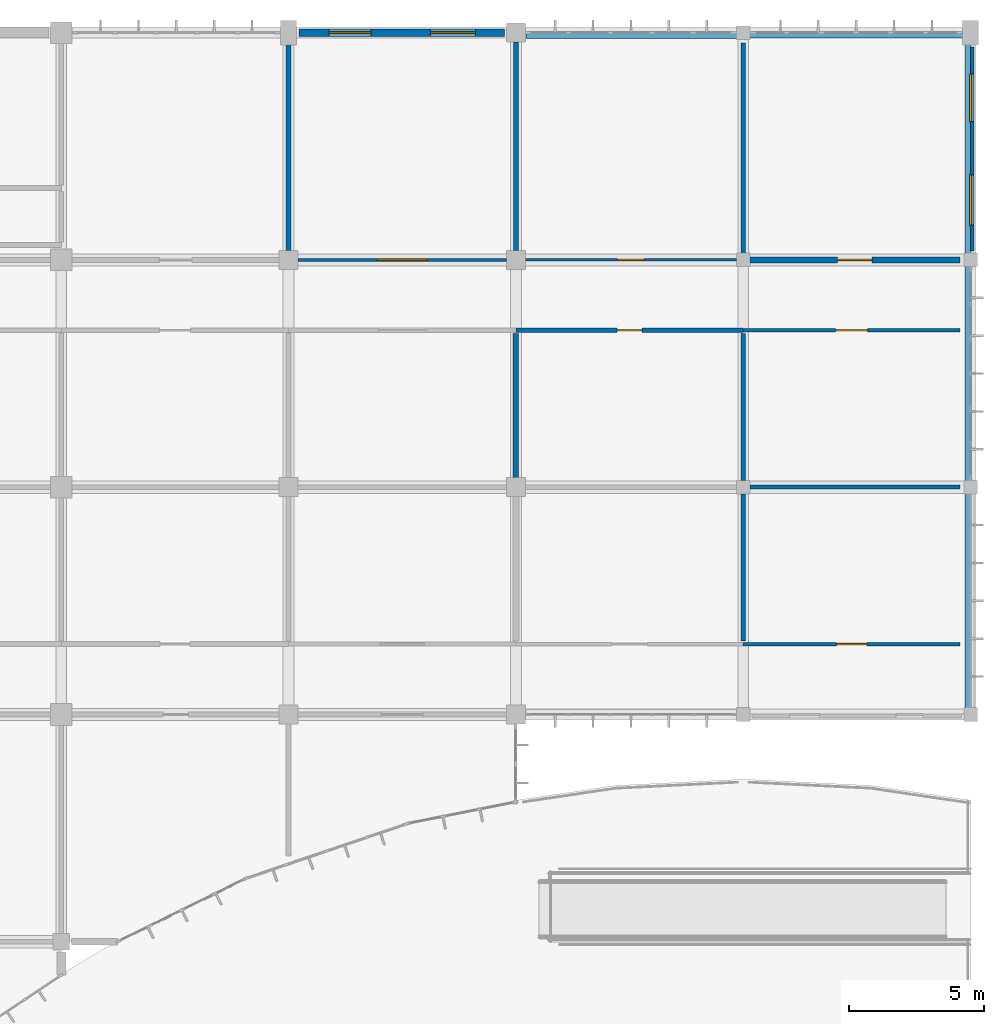
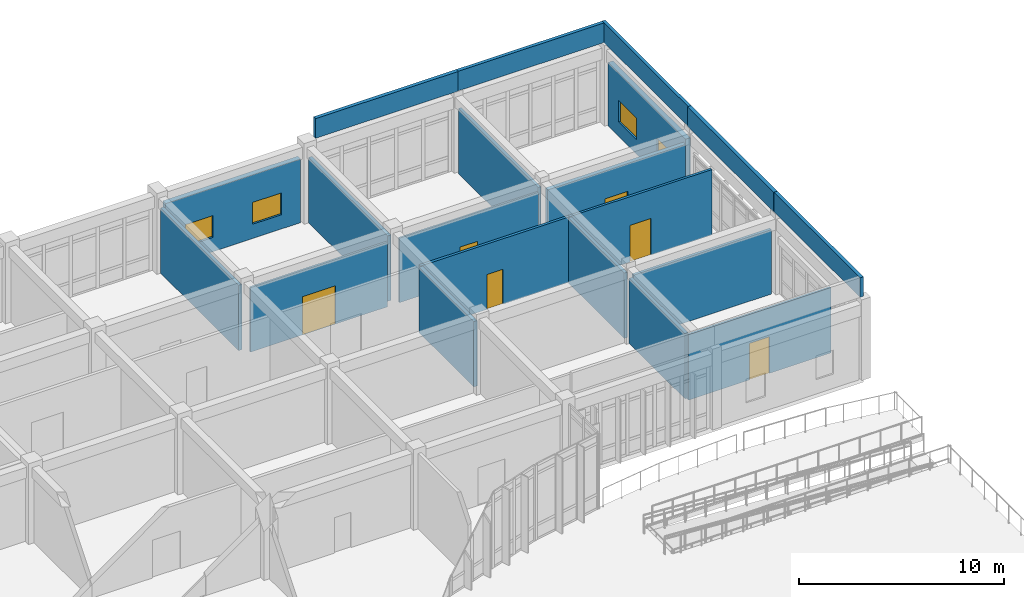
# One storey, part 112 of 138: 20 walls, 6 doors, 4 windows, 10 openings.
"""IFC4 building model written with IfcOpenShell, lengths in metres."""

from ifc_helpers import new_model, si_unit, direction, frame, frame_2d, origin, place, context, subcontext, project, spatial, rectangle, extrude, material, layer, layer_set, type_object, element, fill, save


model = new_model("IFC4")

# Units and contexts
model_context = context("Model", 3, precision=1e-05, world=origin(), true_north=direction((0.0, 1.0)))
body_context = subcontext(model_context, "Body", "Model", "MODEL_VIEW")
ifc_project = project(units=[si_unit("LENGTHUNIT", "METRE"), si_unit("AREAUNIT", "SQUARE_METRE"), si_unit("VOLUMEUNIT", "CUBIC_METRE"), si_unit("PLANEANGLEUNIT", "RADIAN"), si_unit("MASSUNIT", "GRAM", prefix="KILO")], contexts=[model_context])

# Site, building, storey
site_placement = place(None, origin())
site = spatial("IfcSite", under=ifc_project, at=site_placement, CompositionType="ELEMENT")
building_placement = place(site_placement, origin())
building = spatial("IfcBuilding", under=site, at=building_placement, Name="Bramfleet General Hospital", CompositionType="ELEMENT")
storey_placement = place(building_placement, origin())
storey = spatial("IfcBuildingStorey", under=building, at=storey_placement, Name="L00", CompositionType="ELEMENT", Elevation=0.0)

# Wall, openings, windows
ifc_material_1 = material(Name="Precast concrete C40/50", Category="concrete")
ifc_layer_1 = layer(ifc_material_1, 0.280029296875, Name="WT-EW-06")
ifc_layer_set_1 = layer_set([ifc_layer_1], Name="Precast concrete C40/50")
wall_type_1 = type_object("IfcWallType", Name="WT-EW-06", PredefinedType="SOLIDWALL", material=ifc_layer_set_1)
wall_1_placement = place(storey_placement, frame((159.97509765625, 117.60009765625, 0.0), z_axis=(0.0, 0.0, 1.0), x_axis=(1.0, 0.0, 0.0)))
wall_1 = element("IfcWall", 1, at=wall_1_placement, inside=storey, type_object=wall_type_1, Name="L00 Exterior Wall 123", PredefinedType="SOLIDWALL", context=body_context, shape_type="SweptSolid", body=[
    extrude(rectangle(XDim=7.599853515625, YDim=0.280029296875, at=frame_2d((3.7998046875, 0.0))), origin(), (0.0, 0.0, 1.0), 3.7900390625),
])
opening_1_placement = place(wall_1_placement, frame((1.125, 0.0, 0.85009765625)))
opening_1 = element("IfcOpeningElement", 2, at=opening_1_placement, cuts=wall_1, Name="Opening W-07", PredefinedType="OPENING", context=body_context, shape_type="SweptSolid", body=[
    extrude(rectangle(XDim=1.550048828125, YDim=1.300048828125, at=frame_2d((0.77490234375, 0.64990234375))), frame((0.0, 0.14990234375, 0.0), z_axis=(0.0, -1.0, 0.0), x_axis=(1.0, 0.0, 0.0)), (0.0, 0.0, 1.0), 0.300048828125),
])
opening_2_placement = place(wall_1_placement, frame((4.875, 0.0, 0.85009765625)))
opening_2 = element("IfcOpeningElement", 3, at=opening_2_placement, cuts=wall_1, Name="Opening W-08", PredefinedType="OPENING", context=body_context, shape_type="SweptSolid", body=[
    extrude(rectangle(XDim=1.64990234375, YDim=1.300048828125, at=frame_2d((0.824951171875, 0.64990234375))), frame((0.0, 0.14990234375, 0.0), z_axis=(0.0, -1.0, 0.0), x_axis=(1.0, 0.0, 0.0)), (0.0, 0.0, 1.0), 0.300048828125),
])
ifc_material_2 = material(Name="Anodised aluminium and low-E triple glazing", Category="aluminium")
window_type_1 = type_object("IfcWindowType", Name="WIN-W-07", PartitioningType="SINGLE_PANEL", PredefinedType="WINDOW", material=ifc_material_2)
window_1_placement = place(opening_1_placement, origin())
window_1 = element("IfcWindow", 4, at=window_1_placement, inside=storey, type_object=window_type_1, Name="L00 Facade Window WIN-L00-123-1", OverallHeight=1.300048828125, OverallWidth=1.550048828125, PartitioningType="SINGLE_PANEL", PredefinedType="WINDOW", context=body_context, shape_type="SweptSolid", body=[
    extrude(rectangle(XDim=1.550048828125, YDim=1.300048828125, at=frame_2d((0.77490234375, 0.64990234375))), frame((0.0, 0.030029296875, 0.0), z_axis=(0.0, -1.0, 0.0), x_axis=(1.0, 0.0, 0.0)), (0.0, 0.0, 1.0), 0.06005859375),
])
fill(opening_1, window_1)
window_type_2 = type_object("IfcWindowType", Name="WIN-W-08", PartitioningType="SINGLE_PANEL", PredefinedType="WINDOW", material=ifc_material_2)
window_2_placement = place(opening_2_placement, origin())
window_2 = element("IfcWindow", 5, at=window_2_placement, inside=storey, type_object=window_type_2, Name="L00 Facade Window WIN-L00-123-2", OverallHeight=1.300048828125, OverallWidth=1.64990234375, PartitioningType="SINGLE_PANEL", PredefinedType="WINDOW", context=body_context, shape_type="SweptSolid", body=[
    extrude(rectangle(XDim=1.64990234375, YDim=1.300048828125, at=frame_2d((0.824951171875, 0.64990234375))), frame((0.0, 0.030029296875, 0.0), z_axis=(0.0, -1.0, 0.0), x_axis=(1.0, 0.0, 0.0)), (0.0, 0.0, 1.0), 0.06005859375),
])
fill(opening_2, window_2)

ifc_layer_2 = layer(ifc_material_1, 0.264892578125, Name="WT-EW-07")
ifc_layer_set_2 = layer_set([ifc_layer_2], Name="Precast concrete C40/50")
wall_type_2 = type_object("IfcWallType", Name="WT-EW-07", PredefinedType="SOLIDWALL", material=ifc_layer_set_2)
wall_2_placement = place(storey_placement, frame((184.800048828125, 117.074951171875, 0.0), z_axis=(0.0, 0.0, 1.0), x_axis=(0.0, -1.0, 0.0)))
wall_2 = element("IfcWall", 6, at=wall_2_placement, inside=storey, type_object=wall_type_2, Name="L00 Exterior Wall 124", PredefinedType="SOLIDWALL", context=body_context, shape_type="SweptSolid", body=[
    extrude(rectangle(XDim=7.550048828125, YDim=0.264892578125, at=frame_2d((3.77490234375, 0.0))), origin(), (0.0, 0.0, 1.0), 3.7900390625),
])
opening_3_placement = place(wall_2_placement, frame((1.012451171875, 0.0, 0.85009765625)))
opening_3 = element("IfcOpeningElement", 7, at=opening_3_placement, cuts=wall_2, Name="Opening W-09", PredefinedType="OPENING", context=body_context, shape_type="SweptSolid", body=[
    extrude(rectangle(XDim=1.75, YDim=1.300048828125, at=frame_2d((0.875, 0.64990234375))), frame((0.0, 0.142333984375, 0.0), z_axis=(0.0, -1.0, 0.0), x_axis=(1.0, 0.0, 0.0)), (0.0, 0.0, 1.0), 0.284912109375),
])
opening_4_placement = place(wall_2_placement, frame((4.737548828125, 0.0, 0.85009765625)))
opening_4 = element("IfcOpeningElement", 8, at=opening_4_placement, cuts=wall_2, Name="Opening W-10", PredefinedType="OPENING", context=body_context, shape_type="SweptSolid", body=[
    extrude(rectangle(XDim=1.85009765625, YDim=1.300048828125, at=frame_2d((0.925048828125, 0.64990234375))), frame((0.0, 0.142333984375, 0.0), z_axis=(0.0, -1.0, 0.0), x_axis=(1.0, 0.0, 0.0)), (0.0, 0.0, 1.0), 0.284912109375),
])
window_type_3 = type_object("IfcWindowType", Name="WIN-W-09", PartitioningType="SINGLE_PANEL", PredefinedType="WINDOW", material=ifc_material_2)
window_3_placement = place(opening_3_placement, origin())
window_3 = element("IfcWindow", 9, at=window_3_placement, inside=storey, type_object=window_type_3, Name="L00 Facade Window WIN-L00-124-1", OverallHeight=1.300048828125, OverallWidth=1.75, PartitioningType="SINGLE_PANEL", PredefinedType="WINDOW", context=body_context, shape_type="SweptSolid", body=[
    extrude(rectangle(XDim=1.75, YDim=1.300048828125, at=frame_2d((0.875, 0.64990234375))), frame((0.0, 0.030029296875, 0.0), z_axis=(0.0, -1.0, 0.0), x_axis=(1.0, 0.0, 0.0)), (0.0, 0.0, 1.0), 0.06005859375),
])
fill(opening_3, window_3)
window_type_4 = type_object("IfcWindowType", Name="WIN-W-10", PartitioningType="SINGLE_PANEL", PredefinedType="WINDOW", material=ifc_material_2)
window_4_placement = place(opening_4_placement, origin())
window_4 = element("IfcWindow", 10, at=window_4_placement, inside=storey, type_object=window_type_4, Name="L00 Facade Window WIN-L00-124-2", OverallHeight=1.300048828125, OverallWidth=1.85009765625, PartitioningType="SINGLE_PANEL", PredefinedType="WINDOW", context=body_context, shape_type="SweptSolid", body=[
    extrude(rectangle(XDim=1.85009765625, YDim=1.300048828125, at=frame_2d((0.925048828125, 0.64990234375))), frame((0.0, 0.030029296875, 0.0), z_axis=(0.0, -1.0, 0.0), x_axis=(1.0, 0.0, 0.0)), (0.0, 0.0, 1.0), 0.06005859375),
])
fill(opening_4, window_4)

# Wall, opening, door
ifc_material_3 = material(Name="Concrete C35/45", Category="concrete")
ifc_layer_3 = layer(ifc_material_3, 0.219970703125, Name="WT-IW-01")
ifc_layer_set_3 = layer_set([ifc_layer_3], Name="Concrete C35/45")
wall_type_3 = type_object("IfcWallType", Name="WT-IW-01", PredefinedType="PARTITIONING", material=ifc_layer_set_3)
wall_3_placement = place(storey_placement, frame((176.64501953125, 109.199951171875, 0.0), z_axis=(0.0, 0.0, 1.0), x_axis=(1.0, 0.0, 0.0)))
wall_3 = element("IfcWall", 11, at=wall_3_placement, inside=storey, type_object=wall_type_3, Name="L00 Interior Partition IW-L00-0901", PredefinedType="PARTITIONING", context=body_context, shape_type="SweptSolid", body=[
    extrude(rectangle(XDim=7.764892578125, YDim=0.219970703125, at=frame_2d((3.88232421875, 0.0))), origin(), (0.0, 0.0, 1.0), 3.840087890625),
])
opening_5_placement = place(wall_3_placement, frame((3.242431640625, 0.0, 0.0)))
opening_5 = element("IfcOpeningElement", 12, at=opening_5_placement, cuts=wall_3, Name="Opening D0605", PredefinedType="OPENING", context=body_context, shape_type="SweptSolid", body=[
    extrude(rectangle(XDim=1.280029296875, YDim=2.179931640625, at=frame_2d((0.64013671875, 1.08984375))), frame((0.0, 0.119873046875, 0.0), z_axis=(0.0, -1.0, 0.0), x_axis=(1.0, 0.0, 0.0)), (0.0, 0.0, 1.0), 0.239990234375),
])
ifc_material_4 = material(Name="Stainless steel and acoustic timber leaf", Category="steel")
door_type_1 = type_object("IfcDoorType", Name="DR-D-29", OperationType="NOTDEFINED", PredefinedType="DOOR", material=ifc_material_4)
door_1_placement = place(opening_5_placement, origin())
door_1 = element("IfcDoor", 13, at=door_1_placement, inside=storey, type_object=door_type_1, Name="Hospital Clean Logistics Loading Bay 2113 Door D0605", OperationType="SINGLE_SWING_RIGHT", OverallHeight=2.179931640625, OverallWidth=1.280029296875, PredefinedType="DOOR", context=body_context, shape_type="SweptSolid", body=[
    extrude(rectangle(XDim=1.280029296875, YDim=2.179931640625, at=frame_2d((0.64013671875, 1.08984375))), frame((0.0, 0.02490234375, 0.0), z_axis=(0.0, -1.0, 0.0), x_axis=(1.0, 0.0, 0.0)), (0.0, 0.0, 1.0), 0.050048828125),
])
fill(opening_5, door_1)

# Walls
ifc_layer_4 = layer(ifc_material_3, 0.205078125, Name="WT-IW-02")
ifc_layer_set_4 = layer_set([ifc_layer_4], Name="Concrete C35/45")
wall_type_4 = type_object("IfcWallType", Name="WT-IW-02", PredefinedType="PARTITIONING", material=ifc_layer_set_4)
wall_4_placement = place(storey_placement, frame((168.0, 101.14501953125, 0.0), z_axis=(0.0, 0.0, 1.0), x_axis=(0.0, 1.0, 0.0)))
element("IfcWall", 14, at=wall_4_placement, inside=storey, type_object=wall_type_4, Name="L00 Interior Partition IW-L00-1190", PredefinedType="PARTITIONING", context=body_context, shape_type="SweptSolid", body=[
    extrude(rectangle(XDim=5.340087890625, YDim=0.205078125, at=frame_2d((2.669921875, 0.0))), origin(), (0.0, 0.0, 1.0), 3.889892578125),
])
ifc_layer_5 = layer(ifc_material_3, 0.18994140625, Name="WT-IW-03")
ifc_layer_set_5 = layer_set([ifc_layer_5], Name="Concrete C35/45")
wall_type_5 = type_object("IfcWallType", Name="WT-IW-03", PredefinedType="PARTITIONING", material=ifc_layer_set_5)
wall_5_placement = place(storey_placement, frame((168.0, 109.544921875, 0.0), z_axis=(0.0, 0.0, 1.0), x_axis=(0.0, 1.0, 0.0)))
element("IfcWall", 15, at=wall_5_placement, inside=storey, type_object=wall_type_5, Name="L00 Interior Partition IW-L00-1191", PredefinedType="PARTITIONING", context=body_context, shape_type="SweptSolid", body=[
    extrude(rectangle(XDim=7.7099609375, YDim=0.18994140625, at=frame_2d((3.85498046875, 0.0))), origin(), (0.0, 0.0, 1.0), 3.889892578125),
])
ifc_layer_6 = layer(ifc_material_3, 0.179931640625, Name="WT-IW-04")
ifc_layer_set_6 = layer_set([ifc_layer_6], Name="Concrete C35/45")
wall_type_6 = type_object("IfcWallType", Name="WT-IW-04", PredefinedType="PARTITIONING", material=ifc_layer_set_6)
wall_6_placement = place(storey_placement, frame((159.60009765625, 109.544921875, 0.0), z_axis=(0.0, 0.0, 1.0), x_axis=(0.0, 1.0, 0.0)))
element("IfcWall", 16, at=wall_6_placement, inside=storey, type_object=wall_type_6, Name="L00 Interior Partition IW-L00-1185", PredefinedType="PARTITIONING", context=body_context, shape_type="SweptSolid", body=[
    extrude(rectangle(XDim=7.610107421875, YDim=0.179931640625, at=frame_2d((3.80517578125, 0.0))), origin(), (0.0, 0.0, 1.0), 3.889892578125),
])
wall_7_placement = place(storey_placement, frame((176.39990234375, 95.114990234375, 0.0), z_axis=(0.0, 0.0, 1.0), x_axis=(0.0, 1.0, 0.0)))
element("IfcWall", 17, at=wall_7_placement, inside=storey, type_object=wall_type_6, Name="L00 Interior Partition IW-L00-1192", PredefinedType="PARTITIONING", context=body_context, shape_type="SweptSolid", body=[
    extrude(rectangle(XDim=5.43994140625, YDim=0.179931640625, at=frame_2d((2.719970703125, 0.0))), origin(), (0.0, 0.0, 1.0), 3.889892578125),
])
ifc_material_5 = material(Name="Gypsum plasterboard on acoustic steel studs", Category="steel")
ifc_layer_7 = layer(ifc_material_5, 0.169921875, Name="WT-IW-05")
ifc_layer_set_7 = layer_set([ifc_layer_7], Name="Gypsum plasterboard on acoustic steel studs")
wall_type_7 = type_object("IfcWallType", Name="WT-IW-05", PredefinedType="PARTITIONING", material=ifc_layer_set_7)
wall_8_placement = place(storey_placement, frame((176.39990234375, 101.044921875, 0.0), z_axis=(0.0, 0.0, 1.0), x_axis=(0.0, 1.0, 0.0)))
element("IfcWall", 18, at=wall_8_placement, inside=storey, type_object=wall_type_7, Name="L00 Interior Partition IW-L00-1193", PredefinedType="PARTITIONING", context=body_context, shape_type="SweptSolid", body=[
    extrude(rectangle(XDim=5.440185546875, YDim=0.169921875, at=frame_2d((2.72021484375, 0.0))), origin(), (0.0, 0.0, 1.0), 3.889892578125),
])
ifc_layer_8 = layer(ifc_material_5, 0.159912109375, Name="WT-IW-06")
ifc_layer_set_8 = layer_set([ifc_layer_8], Name="Gypsum plasterboard on acoustic steel studs")
wall_type_8 = type_object("IfcWallType", Name="WT-IW-06", PredefinedType="PARTITIONING", material=ifc_layer_set_8)
wall_9_placement = place(storey_placement, frame((176.39990234375, 109.445068359375, 0.0), z_axis=(0.0, 0.0, 1.0), x_axis=(0.0, 1.0, 0.0)))
element("IfcWall", 19, at=wall_9_placement, inside=storey, type_object=wall_type_8, Name="L00 Interior Partition IW-L00-1194", PredefinedType="PARTITIONING", context=body_context, shape_type="SweptSolid", body=[
    extrude(rectangle(XDim=7.764892578125, YDim=0.159912109375, at=frame_2d((3.88232421875, 0.0))), origin(), (0.0, 0.0, 1.0), 3.889892578125),
])
ifc_layer_9 = layer(ifc_material_5, 0.14990234375, Name="WT-IW-07")
ifc_layer_set_9 = layer_set([ifc_layer_9], Name="Gypsum plasterboard on acoustic steel studs")
wall_type_9 = type_object("IfcWallType", Name="WT-IW-07", PredefinedType="PARTITIONING", material=ifc_layer_set_9)
wall_10_placement = place(storey_placement, frame((176.64501953125, 100.800048828125, 0.0), z_axis=(0.0, 0.0, 1.0), x_axis=(1.0, 0.0, 0.0)))
element("IfcWall", 20, at=wall_10_placement, inside=storey, type_object=wall_type_9, Name="L00 Interior Partition IW-L00-0859", PredefinedType="PARTITIONING", context=body_context, shape_type="SweptSolid", body=[
    extrude(rectangle(XDim=7.764892578125, YDim=0.14990234375, at=frame_2d((3.88232421875, 0.0))), origin(), (0.0, 0.0, 1.0), 3.840087890625),
])

# Wall, opening, door
wall_11_placement = place(storey_placement, frame((168.0, 106.60009765625, 0.0), z_axis=(0.0, 0.0, 1.0), x_axis=(1.0, 0.0, 0.0)))
wall_11 = element("IfcWall", 21, at=wall_11_placement, inside=storey, type_object=wall_type_9, Name="L00 Interior Partition IW-L00-0883", PredefinedType="PARTITIONING", context=body_context, shape_type="SweptSolid", body=[
    extrude(rectangle(XDim=8.39990234375, YDim=0.14990234375, at=frame_2d((4.199951171875, 0.0))), origin(), (0.0, 0.0, 1.0), 3.889892578125),
])
opening_6_placement = place(wall_11_placement, frame((3.739990234375, 0.0, 0.0)))
opening_6 = element("IfcOpeningElement", 22, at=opening_6_placement, cuts=wall_11, Name="Opening D0601", PredefinedType="OPENING", context=body_context, shape_type="SweptSolid", body=[
    extrude(rectangle(XDim=0.919921875, YDim=2.080078125, at=frame_2d((0.4599609375, 1.0400390625))), frame((0.0, 0.0849609375, 0.0), z_axis=(0.0, -1.0, 0.0), x_axis=(1.0, 0.0, 0.0)), (0.0, 0.0, 1.0), 0.169921875),
])
door_type_2 = type_object("IfcDoorType", Name="DR-D-25", OperationType="NOTDEFINED", PredefinedType="DOOR", material=ifc_material_4)
door_2_placement = place(opening_6_placement, origin())
door_2 = element("IfcDoor", 23, at=door_2_placement, inside=storey, type_object=door_type_2, Name="Hospital Clean Logistics Loading Bay 2012 Door D0601", OperationType="SINGLE_SWING_RIGHT", OverallHeight=2.080078125, OverallWidth=0.919921875, PredefinedType="DOOR", context=body_context, shape_type="SweptSolid", body=[
    extrude(rectangle(XDim=0.919921875, YDim=2.080078125, at=frame_2d((0.4599609375, 1.0400390625))), frame((0.0, 0.02490234375, 0.0), z_axis=(0.0, -1.0, 0.0), x_axis=(1.0, 0.0, 0.0)), (0.0, 0.0, 1.0), 0.050048828125),
])
fill(opening_6, door_2)

ifc_layer_10 = layer(ifc_material_5, 0.139892578125, Name="WT-IW-08")
ifc_layer_set_10 = layer_set([ifc_layer_10], Name="Gypsum plasterboard on acoustic steel studs")
wall_type_10 = type_object("IfcWallType", Name="WT-IW-08", PredefinedType="PARTITIONING", material=ifc_layer_set_10)
wall_12_placement = place(storey_placement, frame((176.39990234375, 106.60009765625, 0.0), z_axis=(0.0, 0.0, 1.0), x_axis=(1.0, 0.0, 0.0)))
wall_12 = element("IfcWall", 24, at=wall_12_placement, inside=storey, type_object=wall_type_10, Name="L00 Interior Partition IW-L00-0884", PredefinedType="PARTITIONING", context=body_context, shape_type="SweptSolid", body=[
    extrude(rectangle(XDim=8.010009765625, YDim=0.139892578125, at=frame_2d((4.0048828125, 0.0))), origin(), (0.0, 0.0, 1.0), 3.889892578125),
])
opening_7_placement = place(wall_12_placement, frame((3.4150390625, 0.0, 0.0)))
opening_7 = element("IfcOpeningElement", 25, at=opening_7_placement, cuts=wall_12, Name="Opening D0604", PredefinedType="OPENING", context=body_context, shape_type="SweptSolid", body=[
    extrude(rectangle(XDim=1.179931640625, YDim=2.179931640625, at=frame_2d((0.58984375, 1.08984375))), frame((0.0, 0.079833984375, 0.0), z_axis=(0.0, -1.0, 0.0), x_axis=(1.0, 0.0, 0.0)), (0.0, 0.0, 1.0), 0.159912109375),
])
door_type_3 = type_object("IfcDoorType", Name="DR-D-28", OperationType="NOTDEFINED", PredefinedType="DOOR", material=ifc_material_4)
door_3_placement = place(opening_7_placement, origin())
door_3 = element("IfcDoor", 26, at=door_3_placement, inside=storey, type_object=door_type_3, Name="Hospital Clean Logistics Loading Bay 2112 Door D0604", OperationType="SINGLE_SWING_LEFT", OverallHeight=2.179931640625, OverallWidth=1.179931640625, PredefinedType="DOOR", context=body_context, shape_type="SweptSolid", body=[
    extrude(rectangle(XDim=1.179931640625, YDim=2.179931640625, at=frame_2d((0.58984375, 1.08984375))), frame((0.0, 0.02490234375, 0.0), z_axis=(0.0, -1.0, 0.0), x_axis=(1.0, 0.0, 0.0)), (0.0, 0.0, 1.0), 0.050048828125),
])
fill(opening_7, door_3)

ifc_layer_11 = layer(ifc_material_5, 0.1298828125, Name="WT-IW-09")
ifc_layer_set_11 = layer_set([ifc_layer_11], Name="Gypsum plasterboard on acoustic steel studs")
wall_type_11 = type_object("IfcWallType", Name="WT-IW-09", PredefinedType="PARTITIONING", material=ifc_layer_set_11)
wall_13_placement = place(storey_placement, frame((176.39990234375, 95.0, 0.0), z_axis=(0.0, 0.0, 1.0), x_axis=(1.0, 0.0, 0.0)))
wall_13 = element("IfcWall", 27, at=wall_13_placement, inside=storey, type_object=wall_type_11, Name="L00 Interior Partition IW-L00-0837", PredefinedType="PARTITIONING", context=body_context, shape_type="SweptSolid", body=[
    extrude(rectangle(XDim=8.017578125, YDim=0.1298828125, at=frame_2d((4.0087890625, 0.0))), origin(), (0.0, 0.0, 1.0), 3.889892578125),
])
opening_8_placement = place(wall_13_placement, frame((3.44873046875, 0.0, 0.0)))
opening_8 = element("IfcOpeningElement", 28, at=opening_8_placement, cuts=wall_13, Name="Opening D0603", PredefinedType="OPENING", context=body_context, shape_type="SweptSolid", body=[
    extrude(rectangle(XDim=1.1201171875, YDim=2.179931640625, at=frame_2d((0.56005859375, 1.08984375))), frame((0.0, 0.074951171875, 0.0), z_axis=(0.0, -1.0, 0.0), x_axis=(1.0, 0.0, 0.0)), (0.0, 0.0, 1.0), 0.14990234375),
])
door_type_4 = type_object("IfcDoorType", Name="DR-D-27", OperationType="NOTDEFINED", PredefinedType="DOOR", material=ifc_material_4)
door_4_placement = place(opening_8_placement, origin())
door_4 = element("IfcDoor", 29, at=door_4_placement, inside=storey, type_object=door_type_4, Name="Hospital Clean Logistics Loading Bay 2111 Door D0603", OperationType="SINGLE_SWING_RIGHT", OverallHeight=2.179931640625, OverallWidth=1.1201171875, PredefinedType="DOOR", context=body_context, shape_type="SweptSolid", body=[
    extrude(rectangle(XDim=1.1201171875, YDim=2.179931640625, at=frame_2d((0.56005859375, 1.08984375))), frame((0.0, 0.02490234375, 0.0), z_axis=(0.0, -1.0, 0.0), x_axis=(1.0, 0.0, 0.0)), (0.0, 0.0, 1.0), 0.050048828125),
])
fill(opening_8, door_4)

ifc_layer_12 = layer(ifc_material_5, 0.112060546875, Name="WT-IW-11")
ifc_layer_set_12 = layer_set([ifc_layer_12], Name="Gypsum plasterboard on acoustic steel studs")
wall_type_12 = type_object("IfcWallType", Name="WT-IW-11", PredefinedType="PARTITIONING", material=ifc_layer_set_12)
wall_14_placement = place(storey_placement, frame((159.945068359375, 109.199951171875, 0.0), z_axis=(0.0, 0.0, 1.0), x_axis=(1.0, 0.0, 0.0)))
wall_14 = element("IfcWall", 30, at=wall_14_placement, inside=storey, type_object=wall_type_12, Name="L00 Interior Partition IW-L00-0899", PredefinedType="PARTITIONING", context=body_context, shape_type="SweptSolid", body=[
    extrude(rectangle(XDim=7.7099609375, YDim=0.112060546875, at=frame_2d((3.85498046875, 0.0))), origin(), (0.0, 0.0, 1.0), 3.840087890625),
])
opening_9_placement = place(wall_14_placement, frame((2.93505859375, 0.0, 0.0)))
opening_9 = element("IfcOpeningElement", 31, at=opening_9_placement, cuts=wall_14, Name="Opening D0596", PredefinedType="OPENING", context=body_context, shape_type="SweptSolid", body=[
    extrude(rectangle(XDim=1.840087890625, YDim=2.280029296875, at=frame_2d((0.919921875, 1.14013671875))), frame((0.0, 0.06591796875, 0.0), z_axis=(0.0, -1.0, 0.0), x_axis=(1.0, 0.0, 0.0)), (0.0, 0.0, 1.0), 0.132080078125),
])
door_type_5 = type_object("IfcDoorType", Name="DR-D-20", OperationType="NOTDEFINED", PredefinedType="DOOR", material=ifc_material_4)
door_5_placement = place(opening_9_placement, origin())
door_5 = element("IfcDoor", 32, at=door_5_placement, inside=storey, type_object=door_type_5, Name="Hospital Clean Logistics Loading Bay 1913 Door D0596", OperationType="DOUBLE_SWING_LEFT", OverallHeight=2.280029296875, OverallWidth=1.840087890625, PredefinedType="DOOR", context=body_context, shape_type="SweptSolid", body=[
    extrude(rectangle(XDim=1.840087890625, YDim=2.280029296875, at=frame_2d((0.919921875, 1.14013671875))), frame((0.0, 0.02490234375, 0.0), z_axis=(0.0, -1.0, 0.0), x_axis=(1.0, 0.0, 0.0)), (0.0, 0.0, 1.0), 0.050048828125),
])
fill(opening_9, door_5)

ifc_layer_13 = layer(ifc_material_5, 0.10009765625, Name="WT-IW-12")
ifc_layer_set_13 = layer_set([ifc_layer_13], Name="Gypsum plasterboard on acoustic steel studs")
wall_type_13 = type_object("IfcWallType", Name="WT-IW-12", PredefinedType="PARTITIONING", material=ifc_layer_set_13)
wall_15_placement = place(storey_placement, frame((168.344970703125, 109.199951171875, 0.0), z_axis=(0.0, 0.0, 1.0), x_axis=(1.0, 0.0, 0.0)))
wall_15 = element("IfcWall", 33, at=wall_15_placement, inside=storey, type_object=wall_type_13, Name="L00 Interior Partition IW-L00-0900", PredefinedType="PARTITIONING", context=body_context, shape_type="SweptSolid", body=[
    extrude(rectangle(XDim=7.81005859375, YDim=0.10009765625, at=frame_2d((3.905029296875, 0.0))), origin(), (0.0, 0.0, 1.0), 3.840087890625),
])
opening_10_placement = place(wall_15_placement, frame((3.4150390625, 0.0, 0.0)))
opening_10 = element("IfcOpeningElement", 34, at=opening_10_placement, cuts=wall_15, Name="Opening D0602", PredefinedType="OPENING", context=body_context, shape_type="SweptSolid", body=[
    extrude(rectangle(XDim=0.97998046875, YDim=2.1201171875, at=frame_2d((0.489990234375, 1.06005859375))), frame((0.0, 0.06005859375, 0.0), z_axis=(0.0, -1.0, 0.0), x_axis=(1.0, 0.0, 0.0)), (0.0, 0.0, 1.0), 0.1201171875),
])
door_type_6 = type_object("IfcDoorType", Name="DR-D-26", OperationType="NOTDEFINED", PredefinedType="DOOR", material=ifc_material_4)
door_6_placement = place(opening_10_placement, origin())
door_6 = element("IfcDoor", 35, at=door_6_placement, inside=storey, type_object=door_type_6, Name="Hospital Clean Logistics Loading Bay 2013 Door D0602", OperationType="SINGLE_SWING_LEFT", OverallHeight=2.1201171875, OverallWidth=0.97998046875, PredefinedType="DOOR", context=body_context, shape_type="SweptSolid", body=[
    extrude(rectangle(XDim=0.97998046875, YDim=2.1201171875, at=frame_2d((0.489990234375, 1.06005859375))), frame((0.0, 0.02490234375, 0.0), z_axis=(0.0, -1.0, 0.0), x_axis=(1.0, 0.0, 0.0)), (0.0, 0.0, 1.0), 0.050048828125),
])
fill(opening_10, door_6)

# Walls
ifc_layer_14 = layer(ifc_material_1, 0.199951171875, Name="WT-PW-01")
ifc_layer_set_14 = layer_set([ifc_layer_14], Name="Precast concrete C40/50")
wall_type_14 = type_object("IfcWallType", Name="WT-PW-01", PredefinedType="PARAPET", material=ifc_layer_set_14)
wall_16_placement = place(storey_placement, frame((168.3798828125, 117.489990234375, 4.780029296875), z_axis=(0.0, 0.0, 1.0), x_axis=(1.0, 0.0, 0.0)))
element("IfcWall", 36, at=wall_16_placement, inside=storey, type_object=wall_type_14, Name="Roof Parapet Wall 79", PredefinedType="PARAPET", context=body_context, shape_type="SweptSolid", body=[
    extrude(rectangle(XDim=8.02001953125, YDim=0.199951171875, at=frame_2d((4.010009765625, 0.0))), origin(), (0.0, 0.0, 1.0), 1.169921875),
])
wall_17_placement = place(storey_placement, frame((184.68994140625, 109.199951171875, 4.780029296875), z_axis=(0.0, 0.0, 1.0), x_axis=(0.0, -1.0, 0.0)))
element("IfcWall", 37, at=wall_17_placement, inside=storey, type_object=wall_type_14, Name="Roof Parapet Wall 82", PredefinedType="PARAPET", context=body_context, shape_type="SweptSolid", body=[
    extrude(rectangle(XDim=8.39990234375, YDim=0.199951171875, at=frame_2d((4.199951171875, 0.0))), origin(), (0.0, 0.0, 1.0), 1.169921875),
])
ifc_layer_15 = layer(ifc_material_1, 0.18505859375, Name="WT-PW-02")
ifc_layer_set_15 = layer_set([ifc_layer_15], Name="Precast concrete C40/50")
wall_type_15 = type_object("IfcWallType", Name="WT-PW-02", PredefinedType="PARAPET", material=ifc_layer_set_15)
for number, where, z_axis, x_axis, name in (
    (38, (176.39990234375, 117.49755859375, 4.780029296875), (0.0, 0.0, 1.0), (1.0, 0.0, 0.0), "Roof Parapet Wall 80"),
    (39, (184.697509765625, 100.800048828125, 4.780029296875), (0.0, 0.0, 1.0), (0.0, -1.0, 0.0), "Roof Parapet Wall 83"),
):
    element("IfcWall", number, at=place(storey_placement, frame(where, z_axis=z_axis, x_axis=x_axis)), inside=storey, type_object=wall_type_15, Name=name, PredefinedType="PARAPET", context=body_context, shape_type="SweptSolid", body=[
        extrude(rectangle(XDim=8.400146484375, YDim=0.18505859375, at=frame_2d((4.2001953125, 0.0))), origin(), (0.0, 0.0, 1.0), 1.169921875),
    ])
ifc_layer_16 = layer(ifc_material_1, 0.169921875, Name="WT-PW-03")
ifc_layer_set_16 = layer_set([ifc_layer_16], Name="Precast concrete C40/50")
wall_type_16 = type_object("IfcWallType", Name="WT-PW-03", PredefinedType="PARAPET", material=ifc_layer_set_16)
wall_18_placement = place(storey_placement, frame((184.705078125, 117.60009765625, 4.780029296875), z_axis=(0.0, 0.0, 1.0), x_axis=(0.0, -1.0, 0.0)))
element("IfcWall", 40, at=wall_18_placement, inside=storey, type_object=wall_type_16, Name="Roof Parapet Wall 81", PredefinedType="PARAPET", context=body_context, shape_type="SweptSolid", body=[
    extrude(rectangle(XDim=8.400146484375, YDim=0.169921875, at=frame_2d((4.2001953125, 0.0))), origin(), (0.0, 0.0, 1.0), 1.169921875),
])

save(model, "model.ifc")
